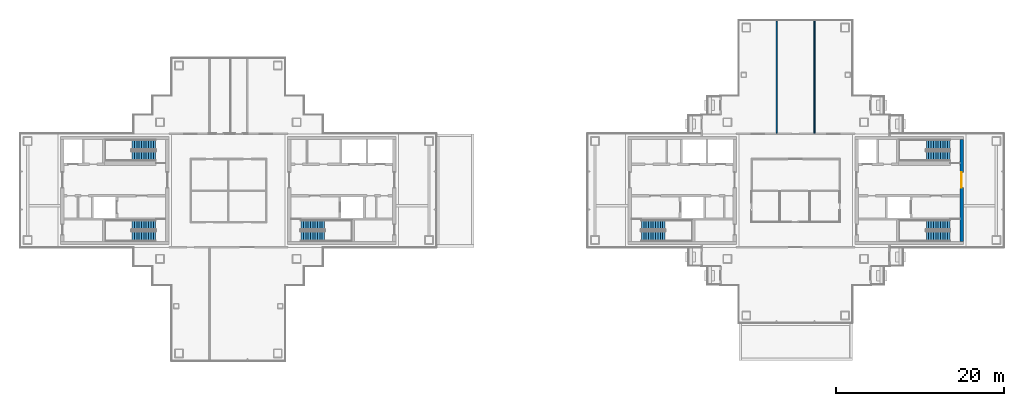
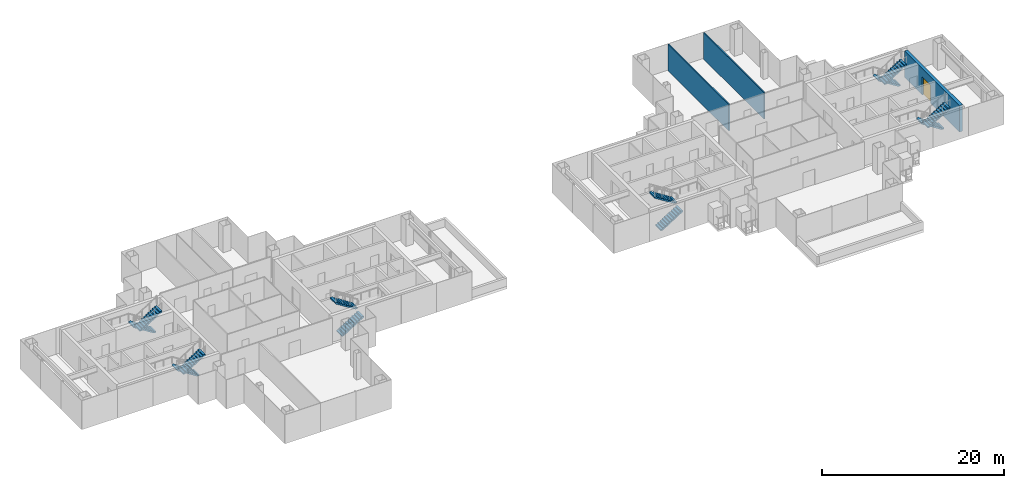
# One storey, part 13 of 16: 12 stair flights, 3 walls, 1 door, 1 opening, 6 elements without a shape of their own.
"""IFC4 building model written with IfcOpenShell, lengths in metres."""

from ifc_helpers import new_model, si_unit, direction, frame, frame_2d, origin, place, context, subcontext, project, spatial, polyline, rectangle, outline, extrude, material, layer, layer_set, type_object, element, fill, aggregate, save


model = new_model("IFC4")

# Units and contexts
model_context = context("Model", 3, precision=1e-05, world=origin(), true_north=direction((0.0, 1.0)))
body_context = subcontext(model_context, "Body", "Model", "MODEL_VIEW")
ifc_project = project(units=[si_unit("LENGTHUNIT", "METRE"), si_unit("AREAUNIT", "SQUARE_METRE"), si_unit("VOLUMEUNIT", "CUBIC_METRE"), si_unit("PLANEANGLEUNIT", "RADIAN"), si_unit("MASSUNIT", "GRAM", prefix="KILO")], contexts=[model_context])

# Site, building, storey
site_placement = place(None, origin())
site = spatial("IfcSite", under=ifc_project, at=site_placement, CompositionType="ELEMENT")
building_placement = place(site_placement, origin())
building = spatial("IfcBuilding", under=site, at=building_placement, Name="Shamsa Quay Exchange Towers", CompositionType="ELEMENT")
storey_placement = place(building_placement, frame((0.0, 0.0, 182.699951171875)))
storey = spatial("IfcBuildingStorey", under=building, at=storey_placement, Name="L43", CompositionType="ELEMENT", Elevation=182.699951171875)

# Wall, opening, door
ifc_material_1 = material(Name="Concrete C60/75", Category="concrete")
ifc_layer_1 = layer(ifc_material_1, 0.39990234375)
ifc_layer_set_1 = layer_set([ifc_layer_1], Name="CORE WALL 400 C60/75")
wall_type_1 = type_object("IfcWallType", Name="CORE WALL 400 C60/75", PredefinedType="SHEAR", material=ifc_layer_set_1)
wall_placement = place(storey_placement, frame((53.5, -6.050048828125, 0.0), z_axis=(0.0, 0.0, 1.0), x_axis=(0.0, 1.0, 0.0)))
wall = element("IfcWall", 1, at=wall_placement, inside=storey, type_object=wall_type_1, Name="Core wall T2B-R20-PF", PredefinedType="SHEAR", context=body_context, shape_type="SweptSolid", body=[
    extrude(rectangle(XDim=12.10009765625, YDim=0.39990234375, at=frame_2d((6.050048828125, 0.0))), origin(), (0.0, 0.0, 1.0), 3.550048828125),
])
opening_placement = place(wall_placement, frame((6.39990234375, 0.0, 0.0)))
opening = element("IfcOpeningElement", 2, at=opening_placement, cuts=wall, Name="Opening T2B-R20-LBD01", PredefinedType="OPENING", context=body_context, shape_type="SweptSolid", body=[
    extrude(rectangle(XDim=1.800048828125, YDim=2.39990234375, at=frame_2d((0.89990234375, 1.199951171875))), frame((0.0, 0.2099609375, 0.0), z_axis=(0.0, -1.0, 0.0), x_axis=(1.0, 0.0, 0.0)), (0.0, 0.0, 1.0), 0.419921875),
])
ifc_material_2 = material(Name="Steel, fire rated", Category="steel")
door_type = type_object("IfcDoorType", Name="LIFT LOBBY DOOR PAIR 1800", OperationType="DOUBLE_DOOR_SINGLE_SWING", PredefinedType="DOOR", material=ifc_material_2)
door_placement = place(opening_placement, origin())
door = element("IfcDoor", 3, at=door_placement, inside=storey, type_object=door_type, Name="T2B-R20-LBD01", OperationType="DOUBLE_DOOR_SINGLE_SWING", OverallHeight=2.39990234375, OverallWidth=1.800048828125, PredefinedType="DOOR", context=body_context, shape_type="SweptSolid", body=[
    extrude(rectangle(XDim=1.800048828125, YDim=2.39990234375, at=frame_2d((0.89990234375, 1.199951171875))), frame((0.0, 0.02490234375, 0.0), z_axis=(0.0, -1.0, 0.0), x_axis=(1.0, 0.0, 0.0)), (0.0, 0.0, 1.0), 0.050048828125),
])
fill(opening, door)

# Walls
ifc_material_3 = material(Name="Gypsum board partition on metal studs")
ifc_layer_2 = layer(ifc_material_3, 0.14990234375)
ifc_layer_set_2 = layer_set([ifc_layer_2], Name="Partition 150 mm EI 60")
wall_type_2 = type_object("IfcWallType", Name="Partition 150 mm EI 60", PredefinedType="PARTITIONING", material=ifc_layer_set_2)
for number, where, z_axis, x_axis, name in (
    (4, (36.0, 20.155029296875, 0.0), (0.0, 0.0, 1.0), (0.0, -1.0, 0.0), "Partition T2-R20-W12"),
    (5, (31.5, 20.155029296875, 0.0), (0.0, 0.0, 1.0), (0.0, -1.0, 0.0), "Partition T2-R20-W13"),
):
    element("IfcWall", number, at=place(storey_placement, frame(where, z_axis=z_axis, x_axis=x_axis)), inside=storey, type_object=wall_type_2, Name=name, PredefinedType="PARTITIONING", context=body_context, shape_type="SweptSolid", body=[
        extrude(rectangle(XDim=13.330078125, YDim=0.14990234375, at=frame_2d((6.6650390625, 0.0))), origin(), (0.0, 0.0, 1.0), 3.550048828125),
    ])

# Stair, stair flights
ifc_material_4 = material(Name="Concrete C40/50", Category="concrete")
stair_type = type_object("IfcStairType", Name="EXIT STAIR 22 RISERS 177 MM", PredefinedType="HALF_TURN_STAIR", material=ifc_material_4)
stair_1_placement = place(storey_placement, origin())
stair_1 = element("IfcStair", 6, at=stair_1_placement, inside=storey, type_object=stair_type, Name="L43 Exit stair ST1", PredefinedType="HALF_TURN_STAIR")
stair_flight_type = type_object("IfcStairFlightType", Name="EXIT STAIR FLIGHT 11 RISERS 177 MM", PredefinedType="STRAIGHT", material=ifc_material_4)
stair_flight_1_placement = place(storey_placement, frame((-25.10009765625, -5.449951171875, 0.0)))
stair_flight_1 = element("IfcStairFlight", 7, at=stair_flight_1_placement, type_object=stair_flight_type, Name="ST1 flight 1", NumberOfRisers=11, NumberOfTreads=10, PredefinedType="STRAIGHT", RiserHeight=0.177272727, TreadLength=0.28, context=body_context, shape_type="SweptSolid", body=[
    extrude(outline(polyline([(0.0, 0.0), (0.0, 0.17724609375), (0.280029296875, 0.17724609375), (0.280029296875, 0.3544921875), (0.56005859375, 0.3544921875), (0.56005859375, 0.53173828125), (0.840087890625, 0.53173828125), (0.840087890625, 0.708984375), (1.1201171875, 0.708984375), (1.1201171875, 0.886474609375), (1.39990234375, 0.886474609375), (1.39990234375, 1.063720703125), (1.679931640625, 1.063720703125), (1.679931640625, 1.240966796875), (1.9599609375, 1.240966796875), (1.9599609375, 1.418212890625), (2.239990234375, 1.418212890625), (2.239990234375, 1.595458984375), (2.52001953125, 1.595458984375), (2.52001953125, 1.772705078125), (2.800048828125, 1.772705078125), (2.800048828125, 1.949951171875), (2.800048828125, 1.607177734375), (0.261474609375, 0.0), (0.0, 0.0)])), frame((0.0, 0.60009765625, 0.0), z_axis=(0.0, -1.0, 0.0), x_axis=(1.0, 0.0, 0.0)), (0.0, 0.0, 1.0), 1.199951171875),
])
stair_flight_2_placement = place(storey_placement, frame((-22.300048828125, -4.10009765625, 1.949951171875), z_axis=(0.0, 0.0, 1.0), x_axis=(-1.0, 0.0, 0.0)))
stair_flight_2 = element("IfcStairFlight", 8, at=stair_flight_2_placement, type_object=stair_flight_type, Name="ST1 flight 2", NumberOfRisers=11, NumberOfTreads=10, PredefinedType="STRAIGHT", RiserHeight=0.177272727, TreadLength=0.28, context=body_context, shape_type="SweptSolid", body=[
    extrude(outline(polyline([(0.0, 0.0), (0.0, 0.17724609375), (0.280029296875, 0.17724609375), (0.280029296875, 0.3544921875), (0.56005859375, 0.3544921875), (0.56005859375, 0.53173828125), (0.840087890625, 0.53173828125), (0.840087890625, 0.708984375), (1.1201171875, 0.708984375), (1.1201171875, 0.886474609375), (1.39990234375, 0.886474609375), (1.39990234375, 1.063720703125), (1.679931640625, 1.063720703125), (1.679931640625, 1.240966796875), (1.9599609375, 1.240966796875), (1.9599609375, 1.418212890625), (2.239990234375, 1.418212890625), (2.239990234375, 1.595458984375), (2.52001953125, 1.595458984375), (2.52001953125, 1.772705078125), (2.800048828125, 1.772705078125), (2.800048828125, 1.949951171875), (2.800048828125, 1.607177734375), (0.261474609375, 0.0), (0.0, 0.0)])), frame((0.0, 0.60009765625, 0.0), z_axis=(0.0, -1.0, 0.0), x_axis=(1.0, 0.0, 0.0)), (0.0, 0.0, 1.0), 1.199951171875),
])
aggregate(stair_1, [stair_flight_1, stair_flight_2])

stair_2_placement = place(storey_placement, origin())
stair_2 = element("IfcStair", 9, at=stair_2_placement, inside=storey, type_object=stair_type, Name="L43 Exit stair ST2", PredefinedType="HALF_TURN_STAIR")
stair_flight_3_placement = place(storey_placement, frame((-42.39990234375, -4.10009765625, 0.0), z_axis=(0.0, 0.0, 1.0), x_axis=(-1.0, 0.0, 0.0)))
stair_flight_3 = element("IfcStairFlight", 10, at=stair_flight_3_placement, type_object=stair_flight_type, Name="ST2 flight 1", NumberOfRisers=11, NumberOfTreads=10, PredefinedType="STRAIGHT", RiserHeight=0.177272727, TreadLength=0.28, context=body_context, shape_type="SweptSolid", body=[
    extrude(outline(polyline([(0.0, 0.0), (0.0, 0.17724609375), (0.280029296875, 0.17724609375), (0.280029296875, 0.3544921875), (0.56005859375, 0.3544921875), (0.56005859375, 0.53173828125), (0.840087890625, 0.53173828125), (0.840087890625, 0.708984375), (1.1201171875, 0.708984375), (1.1201171875, 0.886474609375), (1.39990234375, 0.886474609375), (1.39990234375, 1.063720703125), (1.679931640625, 1.063720703125), (1.679931640625, 1.240966796875), (1.9599609375, 1.240966796875), (1.9599609375, 1.418212890625), (2.239990234375, 1.418212890625), (2.239990234375, 1.595458984375), (2.52001953125, 1.595458984375), (2.52001953125, 1.772705078125), (2.800048828125, 1.772705078125), (2.800048828125, 1.949951171875), (2.800048828125, 1.607177734375), (0.261474609375, 0.0), (0.0, 0.0)])), frame((0.0, 0.60009765625, 0.0), z_axis=(0.0, -1.0, 0.0), x_axis=(1.0, 0.0, 0.0)), (0.0, 0.0, 1.0), 1.199951171875),
])
stair_flight_4_placement = place(storey_placement, frame((-45.199951171875, -5.449951171875, 1.949951171875)))
stair_flight_4 = element("IfcStairFlight", 11, at=stair_flight_4_placement, type_object=stair_flight_type, Name="ST2 flight 2", NumberOfRisers=11, NumberOfTreads=10, PredefinedType="STRAIGHT", RiserHeight=0.177272727, TreadLength=0.28, context=body_context, shape_type="SweptSolid", body=[
    extrude(outline(polyline([(0.0, 0.0), (0.0, 0.17724609375), (0.280029296875, 0.17724609375), (0.280029296875, 0.3544921875), (0.56005859375, 0.3544921875), (0.56005859375, 0.53173828125), (0.840087890625, 0.53173828125), (0.840087890625, 0.708984375), (1.1201171875, 0.708984375), (1.1201171875, 0.886474609375), (1.39990234375, 0.886474609375), (1.39990234375, 1.063720703125), (1.679931640625, 1.063720703125), (1.679931640625, 1.240966796875), (1.9599609375, 1.240966796875), (1.9599609375, 1.418212890625), (2.239990234375, 1.418212890625), (2.239990234375, 1.595458984375), (2.52001953125, 1.595458984375), (2.52001953125, 1.772705078125), (2.800048828125, 1.772705078125), (2.800048828125, 1.949951171875), (2.800048828125, 1.607177734375), (0.261474609375, 0.0), (0.0, 0.0)])), frame((0.0, 0.60009765625, 0.0), z_axis=(0.0, -1.0, 0.0), x_axis=(1.0, 0.0, 0.0)), (0.0, 0.0, 1.0), 1.199951171875),
])
aggregate(stair_2, [stair_flight_3, stair_flight_4])

stair_3_placement = place(storey_placement, origin())
stair_3 = element("IfcStair", 12, at=stair_3_placement, inside=storey, type_object=stair_type, Name="L43 Exit stair ST3", PredefinedType="HALF_TURN_STAIR")
stair_flight_5_placement = place(storey_placement, frame((-42.39990234375, 5.449951171875, 0.0), z_axis=(0.0, 0.0, 1.0), x_axis=(-1.0, 0.0, 0.0)))
stair_flight_5 = element("IfcStairFlight", 13, at=stair_flight_5_placement, type_object=stair_flight_type, Name="ST3 flight 1", NumberOfRisers=11, NumberOfTreads=10, PredefinedType="STRAIGHT", RiserHeight=0.177272727, TreadLength=0.28, context=body_context, shape_type="SweptSolid", body=[
    extrude(outline(polyline([(0.0, 0.0), (0.0, 0.17724609375), (0.280029296875, 0.17724609375), (0.280029296875, 0.3544921875), (0.56005859375, 0.3544921875), (0.56005859375, 0.53173828125), (0.840087890625, 0.53173828125), (0.840087890625, 0.708984375), (1.1201171875, 0.708984375), (1.1201171875, 0.886474609375), (1.39990234375, 0.886474609375), (1.39990234375, 1.063720703125), (1.679931640625, 1.063720703125), (1.679931640625, 1.240966796875), (1.9599609375, 1.240966796875), (1.9599609375, 1.418212890625), (2.239990234375, 1.418212890625), (2.239990234375, 1.595458984375), (2.52001953125, 1.595458984375), (2.52001953125, 1.772705078125), (2.800048828125, 1.772705078125), (2.800048828125, 1.949951171875), (2.800048828125, 1.607177734375), (0.261474609375, 0.0), (0.0, 0.0)])), frame((0.0, 0.60009765625, 0.0), z_axis=(0.0, -1.0, 0.0), x_axis=(1.0, 0.0, 0.0)), (0.0, 0.0, 1.0), 1.199951171875),
])
stair_flight_6_placement = place(storey_placement, frame((-45.199951171875, 4.10009765625, 1.949951171875)))
stair_flight_6 = element("IfcStairFlight", 14, at=stair_flight_6_placement, type_object=stair_flight_type, Name="ST3 flight 2", NumberOfRisers=11, NumberOfTreads=10, PredefinedType="STRAIGHT", RiserHeight=0.177272727, TreadLength=0.28, context=body_context, shape_type="SweptSolid", body=[
    extrude(outline(polyline([(0.0, 0.0), (0.0, 0.17724609375), (0.280029296875, 0.17724609375), (0.280029296875, 0.3544921875), (0.56005859375, 0.3544921875), (0.56005859375, 0.53173828125), (0.840087890625, 0.53173828125), (0.840087890625, 0.708984375), (1.1201171875, 0.708984375), (1.1201171875, 0.886474609375), (1.39990234375, 0.886474609375), (1.39990234375, 1.063720703125), (1.679931640625, 1.063720703125), (1.679931640625, 1.240966796875), (1.9599609375, 1.240966796875), (1.9599609375, 1.418212890625), (2.239990234375, 1.418212890625), (2.239990234375, 1.595458984375), (2.52001953125, 1.595458984375), (2.52001953125, 1.772705078125), (2.800048828125, 1.772705078125), (2.800048828125, 1.949951171875), (2.800048828125, 1.607177734375), (0.261474609375, 0.0), (0.0, 0.0)])), frame((0.0, 0.60009765625, 0.0), z_axis=(0.0, -1.0, 0.0), x_axis=(1.0, 0.0, 0.0)), (0.0, 0.0, 1.0), 1.199951171875),
])
aggregate(stair_3, [stair_flight_5, stair_flight_6])

stair_4_placement = place(storey_placement, origin())
stair_4 = element("IfcStair", 15, at=stair_4_placement, inside=storey, type_object=stair_type, Name="L43 Exit stair ST4", PredefinedType="HALF_TURN_STAIR")
stair_flight_7_placement = place(storey_placement, frame((15.39990234375, -5.449951171875, 0.0)))
stair_flight_7 = element("IfcStairFlight", 16, at=stair_flight_7_placement, type_object=stair_flight_type, Name="ST4 flight 1", NumberOfRisers=11, NumberOfTreads=10, PredefinedType="STRAIGHT", RiserHeight=0.177272727, TreadLength=0.28, context=body_context, shape_type="SweptSolid", body=[
    extrude(outline(polyline([(0.0, 0.0), (0.0, 0.17724609375), (0.280029296875, 0.17724609375), (0.280029296875, 0.3544921875), (0.56005859375, 0.3544921875), (0.56005859375, 0.53173828125), (0.840087890625, 0.53173828125), (0.840087890625, 0.708984375), (1.1201171875, 0.708984375), (1.1201171875, 0.886474609375), (1.39990234375, 0.886474609375), (1.39990234375, 1.063720703125), (1.679931640625, 1.063720703125), (1.679931640625, 1.240966796875), (1.9599609375, 1.240966796875), (1.9599609375, 1.418212890625), (2.239990234375, 1.418212890625), (2.239990234375, 1.595458984375), (2.52001953125, 1.595458984375), (2.52001953125, 1.772705078125), (2.800048828125, 1.772705078125), (2.800048828125, 1.949951171875), (2.800048828125, 1.607177734375), (0.261474609375, 0.0), (0.0, 0.0)])), frame((0.0, 0.60009765625, 0.0), z_axis=(0.0, -1.0, 0.0), x_axis=(1.0, 0.0, 0.0)), (0.0, 0.0, 1.0), 1.199951171875),
])
stair_flight_8_placement = place(storey_placement, frame((18.199951171875, -4.10009765625, 1.949951171875), z_axis=(0.0, 0.0, 1.0), x_axis=(-1.0, 0.0, 0.0)))
stair_flight_8 = element("IfcStairFlight", 17, at=stair_flight_8_placement, type_object=stair_flight_type, Name="ST4 flight 2", NumberOfRisers=11, NumberOfTreads=10, PredefinedType="STRAIGHT", RiserHeight=0.177272727, TreadLength=0.28, context=body_context, shape_type="SweptSolid", body=[
    extrude(outline(polyline([(0.0, 0.0), (0.0, 0.17724609375), (0.280029296875, 0.17724609375), (0.280029296875, 0.3544921875), (0.56005859375, 0.3544921875), (0.56005859375, 0.53173828125), (0.840087890625, 0.53173828125), (0.840087890625, 0.708984375), (1.1201171875, 0.708984375), (1.1201171875, 0.886474609375), (1.39990234375, 0.886474609375), (1.39990234375, 1.063720703125), (1.679931640625, 1.063720703125), (1.679931640625, 1.240966796875), (1.9599609375, 1.240966796875), (1.9599609375, 1.418212890625), (2.239990234375, 1.418212890625), (2.239990234375, 1.595458984375), (2.52001953125, 1.595458984375), (2.52001953125, 1.772705078125), (2.800048828125, 1.772705078125), (2.800048828125, 1.949951171875), (2.800048828125, 1.607177734375), (0.261474609375, 0.0), (0.0, 0.0)])), frame((0.0, 0.60009765625, 0.0), z_axis=(0.0, -1.0, 0.0), x_axis=(1.0, 0.0, 0.0)), (0.0, 0.0, 1.0), 1.199951171875),
])
aggregate(stair_4, [stair_flight_7, stair_flight_8])

stair_5_placement = place(storey_placement, origin())
stair_5 = element("IfcStair", 18, at=stair_5_placement, inside=storey, type_object=stair_type, Name="L43 Exit stair ST5", PredefinedType="HALF_TURN_STAIR")
stair_flight_9_placement = place(storey_placement, frame((52.10009765625, -4.10009765625, 0.0), z_axis=(0.0, 0.0, 1.0), x_axis=(-1.0, 0.0, 0.0)))
stair_flight_9 = element("IfcStairFlight", 19, at=stair_flight_9_placement, type_object=stair_flight_type, Name="ST5 flight 1", NumberOfRisers=11, NumberOfTreads=10, PredefinedType="STRAIGHT", RiserHeight=0.177272727, TreadLength=0.28, context=body_context, shape_type="SweptSolid", body=[
    extrude(outline(polyline([(0.0, 0.0), (0.0, 0.17724609375), (0.280029296875, 0.17724609375), (0.280029296875, 0.3544921875), (0.56005859375, 0.3544921875), (0.56005859375, 0.53173828125), (0.840087890625, 0.53173828125), (0.840087890625, 0.708984375), (1.1201171875, 0.708984375), (1.1201171875, 0.886474609375), (1.39990234375, 0.886474609375), (1.39990234375, 1.063720703125), (1.679931640625, 1.063720703125), (1.679931640625, 1.240966796875), (1.9599609375, 1.240966796875), (1.9599609375, 1.418212890625), (2.239990234375, 1.418212890625), (2.239990234375, 1.595458984375), (2.52001953125, 1.595458984375), (2.52001953125, 1.772705078125), (2.800048828125, 1.772705078125), (2.800048828125, 1.949951171875), (2.800048828125, 1.607177734375), (0.261474609375, 0.0), (0.0, 0.0)])), frame((0.0, 0.60009765625, 0.0), z_axis=(0.0, -1.0, 0.0), x_axis=(1.0, 0.0, 0.0)), (0.0, 0.0, 1.0), 1.199951171875),
])
stair_flight_10_placement = place(storey_placement, frame((49.300048828125, -5.449951171875, 1.949951171875)))
stair_flight_10 = element("IfcStairFlight", 20, at=stair_flight_10_placement, type_object=stair_flight_type, Name="ST5 flight 2", NumberOfRisers=11, NumberOfTreads=10, PredefinedType="STRAIGHT", RiserHeight=0.177272727, TreadLength=0.28, context=body_context, shape_type="SweptSolid", body=[
    extrude(outline(polyline([(0.0, 0.0), (0.0, 0.17724609375), (0.280029296875, 0.17724609375), (0.280029296875, 0.3544921875), (0.56005859375, 0.3544921875), (0.56005859375, 0.53173828125), (0.840087890625, 0.53173828125), (0.840087890625, 0.708984375), (1.1201171875, 0.708984375), (1.1201171875, 0.886474609375), (1.39990234375, 0.886474609375), (1.39990234375, 1.063720703125), (1.679931640625, 1.063720703125), (1.679931640625, 1.240966796875), (1.9599609375, 1.240966796875), (1.9599609375, 1.418212890625), (2.239990234375, 1.418212890625), (2.239990234375, 1.595458984375), (2.52001953125, 1.595458984375), (2.52001953125, 1.772705078125), (2.800048828125, 1.772705078125), (2.800048828125, 1.949951171875), (2.800048828125, 1.607177734375), (0.261474609375, 0.0), (0.0, 0.0)])), frame((0.0, 0.60009765625, 0.0), z_axis=(0.0, -1.0, 0.0), x_axis=(1.0, 0.0, 0.0)), (0.0, 0.0, 1.0), 1.199951171875),
])
aggregate(stair_5, [stair_flight_9, stair_flight_10])

stair_6_placement = place(storey_placement, origin())
stair_6 = element("IfcStair", 21, at=stair_6_placement, inside=storey, type_object=stair_type, Name="L43 Exit stair ST6", PredefinedType="HALF_TURN_STAIR")
stair_flight_11_placement = place(storey_placement, frame((52.10009765625, 5.449951171875, 0.0), z_axis=(0.0, 0.0, 1.0), x_axis=(-1.0, 0.0, 0.0)))
stair_flight_11 = element("IfcStairFlight", 22, at=stair_flight_11_placement, type_object=stair_flight_type, Name="ST6 flight 1", NumberOfRisers=11, NumberOfTreads=10, PredefinedType="STRAIGHT", RiserHeight=0.177272727, TreadLength=0.28, context=body_context, shape_type="SweptSolid", body=[
    extrude(outline(polyline([(0.0, 0.0), (0.0, 0.17724609375), (0.280029296875, 0.17724609375), (0.280029296875, 0.3544921875), (0.56005859375, 0.3544921875), (0.56005859375, 0.53173828125), (0.840087890625, 0.53173828125), (0.840087890625, 0.708984375), (1.1201171875, 0.708984375), (1.1201171875, 0.886474609375), (1.39990234375, 0.886474609375), (1.39990234375, 1.063720703125), (1.679931640625, 1.063720703125), (1.679931640625, 1.240966796875), (1.9599609375, 1.240966796875), (1.9599609375, 1.418212890625), (2.239990234375, 1.418212890625), (2.239990234375, 1.595458984375), (2.52001953125, 1.595458984375), (2.52001953125, 1.772705078125), (2.800048828125, 1.772705078125), (2.800048828125, 1.949951171875), (2.800048828125, 1.607177734375), (0.261474609375, 0.0), (0.0, 0.0)])), frame((0.0, 0.60009765625, 0.0), z_axis=(0.0, -1.0, 0.0), x_axis=(1.0, 0.0, 0.0)), (0.0, 0.0, 1.0), 1.199951171875),
])
stair_flight_12_placement = place(storey_placement, frame((49.300048828125, 4.10009765625, 1.949951171875)))
stair_flight_12 = element("IfcStairFlight", 23, at=stair_flight_12_placement, type_object=stair_flight_type, Name="ST6 flight 2", NumberOfRisers=11, NumberOfTreads=10, PredefinedType="STRAIGHT", RiserHeight=0.177272727, TreadLength=0.28, context=body_context, shape_type="SweptSolid", body=[
    extrude(outline(polyline([(0.0, 0.0), (0.0, 0.17724609375), (0.280029296875, 0.17724609375), (0.280029296875, 0.3544921875), (0.56005859375, 0.3544921875), (0.56005859375, 0.53173828125), (0.840087890625, 0.53173828125), (0.840087890625, 0.708984375), (1.1201171875, 0.708984375), (1.1201171875, 0.886474609375), (1.39990234375, 0.886474609375), (1.39990234375, 1.063720703125), (1.679931640625, 1.063720703125), (1.679931640625, 1.240966796875), (1.9599609375, 1.240966796875), (1.9599609375, 1.418212890625), (2.239990234375, 1.418212890625), (2.239990234375, 1.595458984375), (2.52001953125, 1.595458984375), (2.52001953125, 1.772705078125), (2.800048828125, 1.772705078125), (2.800048828125, 1.949951171875), (2.800048828125, 1.607177734375), (0.261474609375, 0.0), (0.0, 0.0)])), frame((0.0, 0.60009765625, 0.0), z_axis=(0.0, -1.0, 0.0), x_axis=(1.0, 0.0, 0.0)), (0.0, 0.0, 1.0), 1.199951171875),
])
aggregate(stair_6, [stair_flight_11, stair_flight_12])

save(model, "model.ifc")
